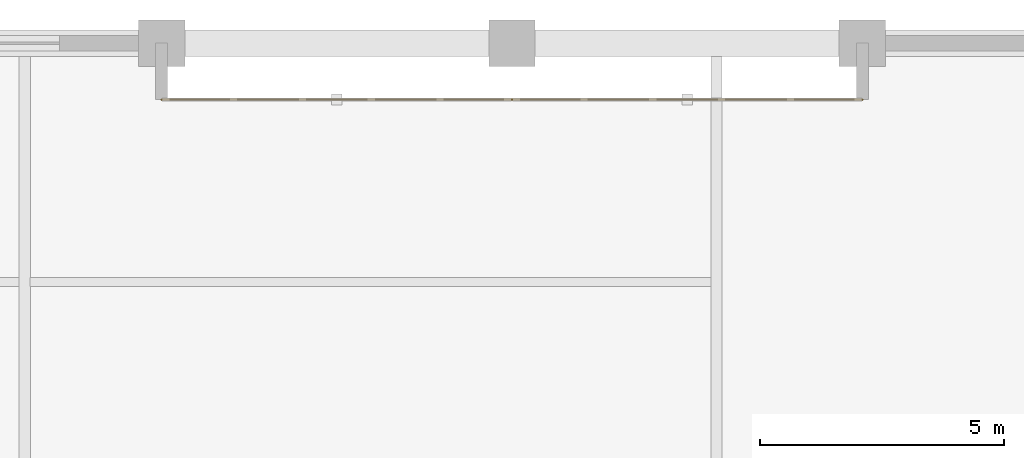
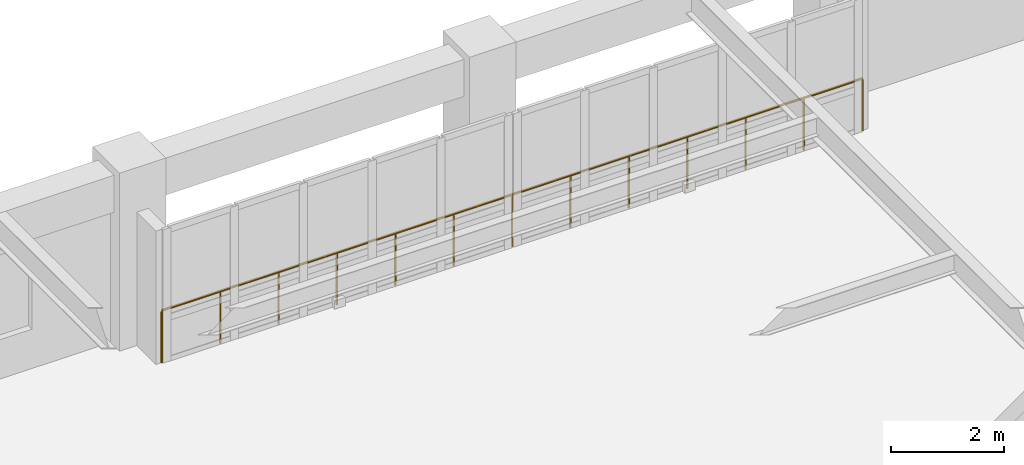
# One storey, part 11 of 11: 2 railings.
"""IFC4 building model written with IfcOpenShell, lengths in metres."""

from ifc_helpers import new_model, si_unit, direction, frame, origin, origin_2d, place, context, subcontext, project, spatial, circle, extrude, material, type_object, element, save


model = new_model("IFC4")

# Units and contexts
model_context = context("Model", 3, precision=1e-05, world=origin(), true_north=direction((0.0, 1.0)))
body_context = subcontext(model_context, "Body", "Model", "MODEL_VIEW")
ifc_project = project(units=[si_unit("LENGTHUNIT", "METRE"), si_unit("AREAUNIT", "SQUARE_METRE"), si_unit("VOLUMEUNIT", "CUBIC_METRE"), si_unit("PLANEANGLEUNIT", "RADIAN"), si_unit("MASSUNIT", "GRAM", prefix="KILO")], contexts=[model_context])

# Site, building, storey
site_placement = place(None, origin())
site = spatial("IfcSite", under=ifc_project, at=site_placement, CompositionType="ELEMENT")
building_placement = place(site_placement, origin())
building = spatial("IfcBuilding", under=site, at=building_placement, Name="Nhamokura Convention Tower", CompositionType="ELEMENT")
storey_placement = place(building_placement, frame((0.0, 0.0, 133.699951171875)))
storey = spatial("IfcBuildingStorey", under=building, at=storey_placement, Name="L32", CompositionType="ELEMENT", Elevation=133.699951171875)

# Railings
ifc_material = material(Name="Anodised bronze stainless steel", Category="steel")
railing_type = type_object("IfcRailingType", Name="TerraceGuardrail_1150", PredefinedType="GUARDRAIL", material=ifc_material)
railing_1_placement = place(storey_placement, frame((32.0, 56.85009765625, 0.0)))
element("IfcRailing", 1, at=railing_1_placement, inside=storey, type_object=railing_type, Name="L32 Scale-Slot Edge Guardrail NORTH 3", PredefinedType="GUARDRAIL", context=body_context, shape_type="SweptSolid", body=[
    extrude(circle(Radius=0.02392578125, at=origin_2d()), frame((0.0, 0.0, 1.1259765625), z_axis=(1.0, 0.0, 0.0), x_axis=(0.0, 1.0, 0.0)), (0.0, 0.0, 1.0), 7.166748046875),
    extrude(circle(Radius=0.02099609375, at=origin_2d()), origin(), (0.0, 0.0, 1.0), 1.101806640625),
    extrude(circle(Radius=0.02099609375, at=origin_2d()), frame((1.1943359375, 0.0, 0.0)), (0.0, 0.0, 1.0), 1.101806640625),
    extrude(circle(Radius=0.02099609375, at=origin_2d()), frame((2.388916015625, 0.0, 0.0)), (0.0, 0.0, 1.0), 1.101806640625),
    extrude(circle(Radius=0.02099609375, at=origin_2d()), frame((3.58349609375, 0.0, 0.0)), (0.0, 0.0, 1.0), 1.101806640625),
    extrude(circle(Radius=0.02099609375, at=origin_2d()), frame((4.77783203125, 0.0, 0.0)), (0.0, 0.0, 1.0), 1.101806640625),
    extrude(circle(Radius=0.02099609375, at=origin_2d()), frame((5.97216796875, 0.0, 0.0)), (0.0, 0.0, 1.0), 1.101806640625),
    extrude(circle(Radius=0.02099609375, at=origin_2d()), frame((7.166748046875, 0.0, 0.0)), (0.0, 0.0, 1.0), 1.101806640625),
])
railing_2_placement = place(storey_placement, frame((39.166748046875, 56.85009765625, 0.0)))
element("IfcRailing", 2, at=railing_2_placement, inside=storey, type_object=railing_type, Name="L32 Scale-Slot Edge Guardrail NORTH 4", PredefinedType="GUARDRAIL", context=body_context, shape_type="SweptSolid", body=[
    extrude(circle(Radius=0.02392578125, at=origin_2d()), frame((0.0, 0.0, 1.1259765625), z_axis=(1.0, 0.0, 0.0), x_axis=(0.0, 1.0, 0.0)), (0.0, 0.0, 1.0), 7.16650390625),
    extrude(circle(Radius=0.02099609375, at=origin_2d()), origin(), (0.0, 0.0, 1.0), 1.101806640625),
    extrude(circle(Radius=0.02099609375, at=origin_2d()), frame((1.1943359375, 0.0, 0.0)), (0.0, 0.0, 1.0), 1.101806640625),
    extrude(circle(Radius=0.02099609375, at=origin_2d()), frame((2.388916015625, 0.0, 0.0)), (0.0, 0.0, 1.0), 1.101806640625),
    extrude(circle(Radius=0.02099609375, at=origin_2d()), frame((3.583251953125, 0.0, 0.0)), (0.0, 0.0, 1.0), 1.101806640625),
    extrude(circle(Radius=0.02099609375, at=origin_2d()), frame((4.777587890625, 0.0, 0.0)), (0.0, 0.0, 1.0), 1.101806640625),
    extrude(circle(Radius=0.02099609375, at=origin_2d()), frame((5.97216796875, 0.0, 0.0)), (0.0, 0.0, 1.0), 1.101806640625),
    extrude(circle(Radius=0.02099609375, at=origin_2d()), frame((7.16650390625, 0.0, 0.0)), (0.0, 0.0, 1.0), 1.101806640625),
])

save(model, "model.ifc")
